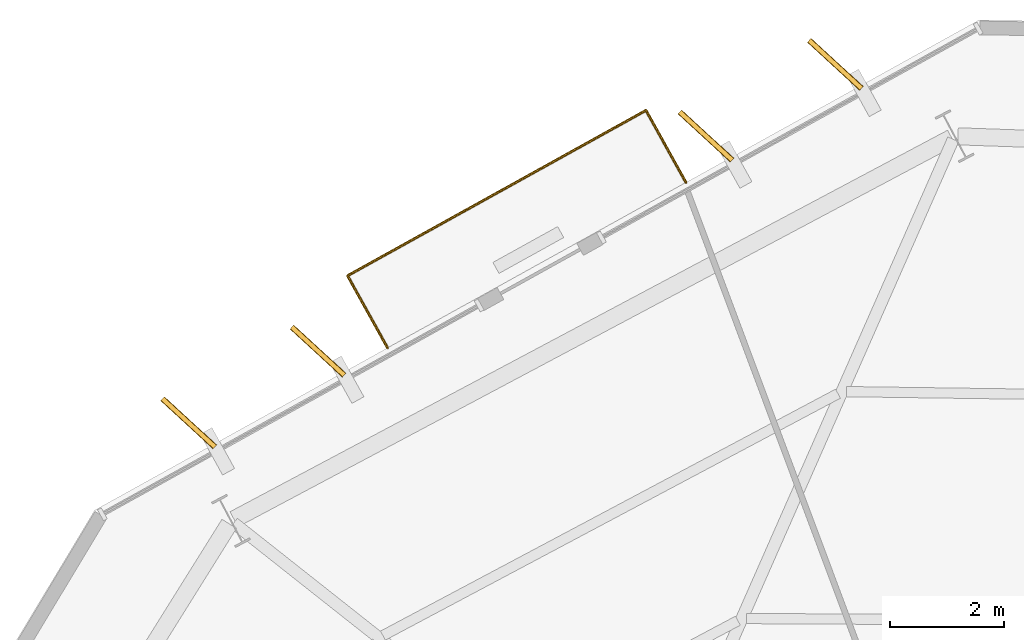
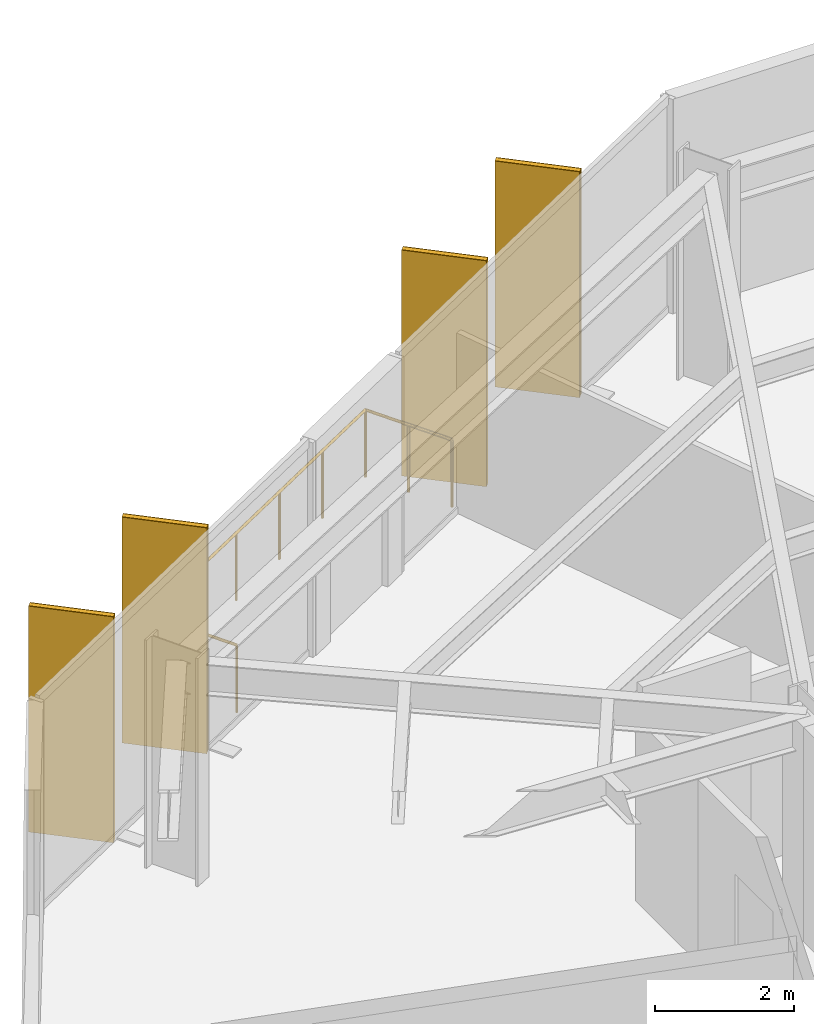
# One storey, part 11 of 11: 4 coverings, 4 shading devices, 1 railing.
"""IFC4 building model written with IfcOpenShell, lengths in metres."""

import ifcopenshell
import ifcopenshell.guid

model = None  # the IFC model being written
_history = None  # IfcOwnerHistory: only IFC2X3 demands one
_inside = {}  # id of a spatial element -> (the spatial element, [elements in it])
_under = {}  # id of a project, library or spatial element -> (it, [spatial elements below it])
_declared = {}  # id of a project -> (the project, [libraries it declares])
_typed = {}  # id of a type object -> (the type object, [elements of that type])
_made_of = {}  # id of a material, layer set ... -> (it, [elements and type objects made of it])


def new_model(schema):
    """Start an empty IFC model of exactly this schema.

    Asked for "IFC4X3", IfcOpenShell would pick the latest addendum, in which some entities
    have other attributes; the version numbers below select the first issue.
    IFC2X3 requires an IfcOwnerHistory on every rooted entity: one is made here for all.
    """
    global model, _history
    if schema == "IFC4X3":
        model = ifcopenshell.file(schema_version=(4, 3, 0, 0))
    else:
        model = ifcopenshell.file(schema=schema)
    _inside.clear()
    _under.clear()
    _declared.clear()
    _typed.clear()
    _made_of.clear()
    _history = None
    if model.schema == "IFC2X3":
        org = make("IfcOrganization", Name="unknown")
        user = make(
            "IfcPersonAndOrganization",
            ThePerson=make("IfcPerson", FamilyName="unknown"),
            TheOrganization=org,
        )
        app = make(
            "IfcApplication",
            ApplicationDeveloper=org,
            Version="unknown",
            ApplicationFullName="unknown",
            ApplicationIdentifier="unknown",
        )
        _history = make(
            "IfcOwnerHistory",
            OwningUser=user,
            OwningApplication=app,
            ChangeAction="ADDED",
            CreationDate=0,
        )
    return model


def make(cls, **values):
    """One entity of the class cls with the attributes given. An attribute that is None is left unset."""
    return model.create_entity(
        cls, **{name: value for name, value in values.items() if value is not None}
    )


def rooted(cls, **values):
    """An entity with a GlobalId (a new one), such as an element, a storey or a relation."""
    return make(cls, GlobalId=ifcopenshell.guid.new(), OwnerHistory=_history, **values)


def si_unit(unit_type, name, prefix=None):
    """IfcSIUnit, for example si_unit("LENGTHUNIT", "METRE", prefix="MILLI")."""
    return make("IfcSIUnit", UnitType=unit_type, Prefix=prefix, Name=name)


def assignment(units):
    """IfcUnitAssignment: the units of a project."""
    return None if units is None else make("IfcUnitAssignment", Units=units)


def point(xyz):
    """IfcCartesianPoint."""
    return None if xyz is None else make("IfcCartesianPoint", Coordinates=xyz)


def direction(xyz):
    """IfcDirection."""
    return None if xyz is None else make("IfcDirection", DirectionRatios=xyz)


def frame(location, z_axis=None, x_axis=None):
    """IfcAxis2Placement3D, a coordinate frame: its origin and axes. An axis left out is left unset."""
    return make(
        "IfcAxis2Placement3D",
        Location=point(location),
        Axis=direction(z_axis),
        RefDirection=direction(x_axis),
    )


def frame_2d(location, x_axis=None):
    """IfcAxis2Placement2D, a coordinate frame in the plane: its origin and x axis."""
    return make(
        "IfcAxis2Placement2D", Location=point(location), RefDirection=direction(x_axis)
    )


def origin():
    """The frame at (0, 0, 0) with its axes left unset."""
    return frame((0.0, 0.0, 0.0))


def origin_2d():
    """The frame at (0, 0) in the plane with its x axis left unset."""
    return frame_2d((0.0, 0.0))


def place(relative_to, where):
    """IfcLocalPlacement: puts the frame where relative to a parent placement (None: the world)."""
    return make(
        "IfcLocalPlacement", PlacementRelTo=relative_to, RelativePlacement=where
    )


def context(
    kind, dimensions, precision=None, world=None, true_north=None, identifier=None
):
    """IfcGeometricRepresentationContext, for example the 3D "Model" context."""
    return make(
        "IfcGeometricRepresentationContext",
        ContextIdentifier=identifier,
        ContextType=kind,
        CoordinateSpaceDimension=dimensions,
        Precision=precision,
        WorldCoordinateSystem=world,
        TrueNorth=true_north,
    )


def subcontext(parent, identifier, kind, view, scale=None):
    """IfcGeometricRepresentationSubContext, for example "Body" below "Model"."""
    return make(
        "IfcGeometricRepresentationSubContext",
        ContextIdentifier=identifier,
        ContextType=kind,
        ParentContext=parent,
        TargetScale=scale,
        TargetView=view,
    )


def project(units=None, contexts=None):
    """IfcProject with its units and contexts."""
    return rooted(
        "IfcProject",
        Name="project",
        RepresentationContexts=contexts,
        UnitsInContext=assignment(units),
    )


def spatial(cls, under=None, at=None, **own):
    """A site, building, storey or space (cls), placed at a placement, below another one or the project."""
    s = rooted(cls, ObjectPlacement=at, **own)
    if under is not None:
        _under.setdefault(under.id(), (under, []))[1].append(s)
    return s


def profile(cls, at=None, kind="AREA", **sizes):
    """A parametric profile (cls). Its sizes go by their IFC names, for example OverallWidth=200.0."""
    return make(cls, ProfileType=kind, Position=at, **sizes)


def rectangle(**sizes):
    """IfcRectangleProfileDef."""
    return profile("IfcRectangleProfileDef", **sizes)


def circle(**sizes):
    """IfcCircleProfileDef."""
    return profile("IfcCircleProfileDef", **sizes)


def extrude(swept, where, along, depth):
    """IfcExtrudedAreaSolid: the profile swept, set in the frame where, extruded along a direction by depth."""
    return make(
        "IfcExtrudedAreaSolid",
        SweptArea=swept,
        Position=where,
        ExtrudedDirection=direction(along),
        Depth=depth,
    )


def shape(context_of_items, identifier, shape_type, items):
    """IfcShapeRepresentation: the items that make up one representation, for example the "Body"."""
    return make(
        "IfcShapeRepresentation",
        ContextOfItems=context_of_items,
        RepresentationIdentifier=identifier,
        RepresentationType=shape_type,
        Items=items,
    )


def material(Name=None, Category=None):
    """IfcMaterial."""
    return make("IfcMaterial", Name=Name, Category=Category)


def layer(
    of_material, thickness, ventilated=None, Name=None, Category=None, Priority=None
):
    """IfcMaterialLayer: one layer of a wall or slab, of a material (None: an air gap)."""
    return make(
        "IfcMaterialLayer",
        Material=of_material,
        LayerThickness=thickness,
        IsVentilated=ventilated,
        Name=Name,
        Category=Category,
        Priority=Priority,
    )


def layer_set(layers, Name=None):
    """IfcMaterialLayerSet."""
    return make("IfcMaterialLayerSet", MaterialLayers=layers, LayerSetName=Name)


def made_of(thing, what):
    """Note that an element or type object is made of a material, layer set ...; save() writes the relation."""
    if what is not None:
        _made_of.setdefault(what.id(), (what, []))[1].append(thing)
    return thing


def type_object(cls, material=None, **own):
    """A type object (cls), such as IfcWallType, which elements share."""
    return made_of(rooted(cls, **own), material)


def element(
    cls,
    number,
    at=None,
    inside=None,
    cuts=None,
    type_object=None,
    material=None,
    context=None,
    identifier="Body",
    shape_type=None,
    held_by="IfcProductDefinitionShape",
    body=None,
    shapes=None,
    **own,
):
    """One element of the class cls, such as IfcWall. Its Tag is "e" and its number.

    at: its placement. inside: the storey or other place that contains it. cuts: it is an
    opening in that element (IfcRelVoidsElement). A single representation is given by context,
    identifier, shape_type and body (its items); several are given by shapes. held_by: the class
    of the entity that holds the representations. save() writes the other relations.
    """
    e = rooted(cls, Tag="e%d" % number, ObjectPlacement=at, **own)
    if body is not None:
        shapes = [shape(context, identifier, shape_type, body)]
    if shapes is not None:
        e.Representation = make(held_by, Representations=shapes)
    if inside is not None:
        _inside.setdefault(inside.id(), (inside, []))[1].append(e)
    if cuts is not None:
        rooted(
            "IfcRelVoidsElement", RelatingBuildingElement=cuts, RelatedOpeningElement=e
        )
    if type_object is not None:
        _typed.setdefault(type_object.id(), (type_object, []))[1].append(e)
    return made_of(e, material)


def aggregate(whole, parts):
    """IfcRelAggregates: a whole, such as a stair, and the parts it consists of."""
    return rooted("IfcRelAggregates", RelatingObject=whole, RelatedObjects=parts)


def save(model, path):
    """Write the relations noted so far, then the file.

    IfcRelAggregates (storeys below a building ...), IfcRelContainedInSpatialStructure (elements
    in a storey), IfcRelDefinesByType, IfcRelAssociatesMaterial and IfcRelDeclares: one each for
    every whole, place, type object, material and project.
    """
    for whole, parts in _under.values():
        aggregate(whole, parts)
    for where, things in _inside.values():
        rooted(
            "IfcRelContainedInSpatialStructure",
            RelatedElements=things,
            RelatingStructure=where,
        )
    for kind, things in _typed.values():
        rooted("IfcRelDefinesByType", RelatedObjects=things, RelatingType=kind)
    for what, things in _made_of.values():
        rooted("IfcRelAssociatesMaterial", RelatedObjects=things, RelatingMaterial=what)
    for by, libraries in _declared.values():
        rooted("IfcRelDeclares", RelatingContext=by, RelatedDefinitions=libraries)
    model.write(path)


model = new_model("IFC4")

# Units and contexts
model_context = context("Model", 3, precision=1e-05, world=origin(), true_north=direction((0.0, 1.0)))
body_context = subcontext(model_context, "Body", "Model", "MODEL_VIEW")
ifc_project = project(units=[si_unit("LENGTHUNIT", "METRE"), si_unit("AREAUNIT", "SQUARE_METRE"), si_unit("VOLUMEUNIT", "CUBIC_METRE"), si_unit("PLANEANGLEUNIT", "RADIAN"), si_unit("MASSUNIT", "GRAM", prefix="KILO")], contexts=[model_context])

# Site, building, storey
site_placement = place(None, origin())
site = spatial("IfcSite", under=ifc_project, at=site_placement, CompositionType="ELEMENT")
building_placement = place(site_placement, origin())
building = spatial("IfcBuilding", under=site, at=building_placement, Name="Kranzbogen Civic Tower", CompositionType="ELEMENT")
storey_placement = place(building_placement, frame((0.0, 0.0, 138.39990234375)))
storey = spatial("IfcBuildingStorey", under=building, at=storey_placement, Name="L33", CompositionType="ELEMENT", Elevation=138.39990234375)

# Coverings
ifc_material_1 = material(Name="Pale Anodised Aluminium", Category="aluminium")
ifc_layer = layer(ifc_material_1, 0.02490234375, Name="Pale Anodised Aluminium")
ifc_layer_set = layer_set([ifc_layer], Name="Pale Anodised Aluminium")
covering_type = type_object("IfcCoveringType", Name="Anodised Aluminium Vertical Fin Cladding 25 mm", PredefinedType="CLADDING", material=ifc_layer_set)
for number, where, z_axis, x_axis, name in (
    (1, (20.60205078125, 45.93505859375, -0.139892578125), (0.0, 0.0, 1.0), (-0.73622702441, 0.676734636714, 0.0), "L33 vertical fin pale-metal cladding F2-1"),
    (2, (18.327880859375, 44.674072265625, -0.139892578125), (0.0, 0.0, 1.0), (-0.73622702441, 0.676734636714, 0.0), "L33 vertical fin pale-metal cladding F2-2"),
    (3, (11.506103515625, 40.89306640625, -0.139892578125), (0.0, 0.0, 1.0), (-0.73622702441, 0.676734636714, 0.0), "L33 vertical fin pale-metal cladding F2-5"),
    (4, (9.23193359375, 39.633056640625, -0.139892578125), (0.0, 0.0, 1.0), (-0.73622702441, 0.676734636714, 0.0), "L33 vertical fin pale-metal cladding F2-6"),
):
    element("IfcCovering", number, at=place(storey_placement, frame(where, z_axis=z_axis, x_axis=x_axis)), inside=storey, type_object=covering_type, Name=name, PredefinedType="CLADDING", context=body_context, shape_type="SweptSolid", body=[
        extrude(rectangle(XDim=1.25, YDim=0.10009765625, at=origin_2d()), origin(), (0.0, 0.0, 1.0), 3.9599609375),
    ])

# Shading devices
ifc_material_2 = material(Name="Anodised Bronze Aluminium", Category="aluminium")
shading_device_type = type_object("IfcShadingDeviceType", Name="Anodised Bronze Vertical Facade Fin 1250x80", PredefinedType="USERDEFINED", material=ifc_material_2)
for number, where, z_axis, x_axis, name in (
    (5, (20.60205078125, 45.93505859375, -0.139892578125), (0.0, 0.0, 1.0), (-0.73622702441, 0.676734636714, 0.0), "L33 vertical exterior shading fin F2-1"),
    (6, (18.327880859375, 44.674072265625, -0.139892578125), (0.0, 0.0, 1.0), (-0.73622702441, 0.676734636714, 0.0), "L33 vertical exterior shading fin F2-2"),
    (7, (11.506103515625, 40.89306640625, -0.139892578125), (0.0, 0.0, 1.0), (-0.73622702441, 0.676734636714, 0.0), "L33 vertical exterior shading fin F2-5"),
    (8, (9.23193359375, 39.633056640625, -0.139892578125), (0.0, 0.0, 1.0), (-0.73622702441, 0.676734636714, 0.0), "L33 vertical exterior shading fin F2-6"),
):
    element("IfcShadingDevice", number, at=place(storey_placement, frame(where, z_axis=z_axis, x_axis=x_axis)), inside=storey, type_object=shading_device_type, Name=name, ObjectType="FIN", PredefinedType="USERDEFINED", context=body_context, shape_type="SweptSolid", body=[
        extrude(rectangle(XDim=1.25, YDim=0.080078125, at=origin_2d()), origin(), (0.0, 0.0, 1.0), 3.9599609375),
    ])

# Railing
railing_type = type_object("IfcRailingType", Name="Cantilevered Balcony Glass and Bronze Balustrade 1200", PredefinedType="BALUSTRADE", material=ifc_material_2)
railing_placement = place(storey_placement, frame((17.97607421875, 43.85888671875, 0.0)))
element("IfcRailing", 9, at=railing_placement, inside=storey, type_object=railing_type, Name="L33 exterior terrace balustrade L33-TB1", PredefinedType="BALUSTRADE", context=body_context, shape_type="SweptSolid", body=[
    extrude(circle(Radius=0.02392578125, at=origin_2d()), frame((0.0, 0.0, 1.17578125), z_axis=(-0.484927957556, 0.874554101231, 0.0), x_axis=(-0.874554101231, -0.484927957556, 0.0)), (0.0, 0.0, 1.0), 1.449951171875),
    extrude(circle(Radius=0.02392578125, at=origin_2d()), frame((-0.703125, 1.26806640625, 1.17578125), z_axis=(-0.874696086164, -0.484671803233, 0.0), x_axis=(0.484671803233, -0.874696086164, 0.0)), (0.0, 0.0, 1.0), 5.999755859375),
    extrude(circle(Radius=0.02392578125, at=origin_2d()), frame((-5.951171875, -1.639892578125, 1.17578125), z_axis=(0.484927957556, -0.874554101231, 0.0), x_axis=(0.874554101231, 0.484927957556, 0.0)), (0.0, 0.0, 1.0), 1.449951171875),
    extrude(circle(Radius=0.02099609375, at=origin_2d()), origin(), (0.0, 0.0, 1.0), 1.15185546875),
    extrude(circle(Radius=0.02099609375, at=origin_2d()), frame((-0.3515625, 0.634033203125, 0.0)), (0.0, 0.0, 1.0), 1.15185546875),
    extrude(circle(Radius=0.02099609375, at=origin_2d()), frame((-0.703125, 1.26806640625, 0.0)), (0.0, 0.0, 1.0), 1.15185546875),
    extrude(circle(Radius=0.02099609375, at=origin_2d()), frame((-1.752685546875, 0.6865234375, 0.0)), (0.0, 0.0, 1.0), 1.15185546875),
    extrude(circle(Radius=0.02099609375, at=origin_2d()), frame((-2.80224609375, 0.10498046875, 0.0)), (0.0, 0.0, 1.0), 1.15185546875),
    extrude(circle(Radius=0.02099609375, at=origin_2d()), frame((-3.85205078125, -0.476806640625, 0.0)), (0.0, 0.0, 1.0), 1.15185546875),
    extrude(circle(Radius=0.02099609375, at=origin_2d()), frame((-4.901611328125, -1.058349609375, 0.0)), (0.0, 0.0, 1.0), 1.15185546875),
    extrude(circle(Radius=0.02099609375, at=origin_2d()), frame((-5.951171875, -1.639892578125, 0.0)), (0.0, 0.0, 1.0), 1.15185546875),
    extrude(circle(Radius=0.02099609375, at=origin_2d()), frame((-5.599609375, -2.27392578125, 0.0)), (0.0, 0.0, 1.0), 1.15185546875),
    extrude(circle(Radius=0.02099609375, at=origin_2d()), frame((-5.248046875, -2.907958984375, 0.0)), (0.0, 0.0, 1.0), 1.15185546875),
])

save(model, "model.ifc")
